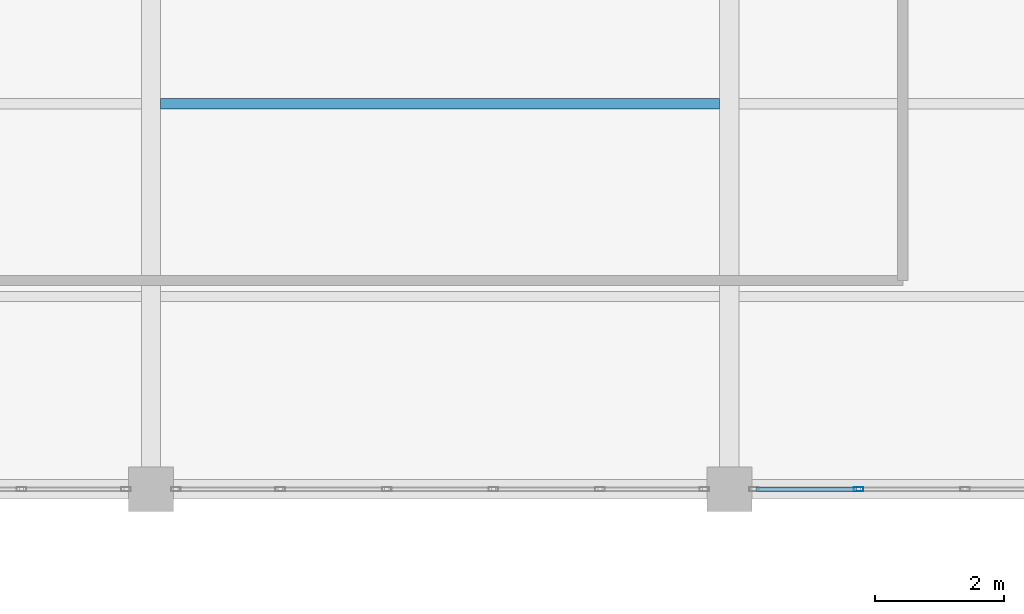
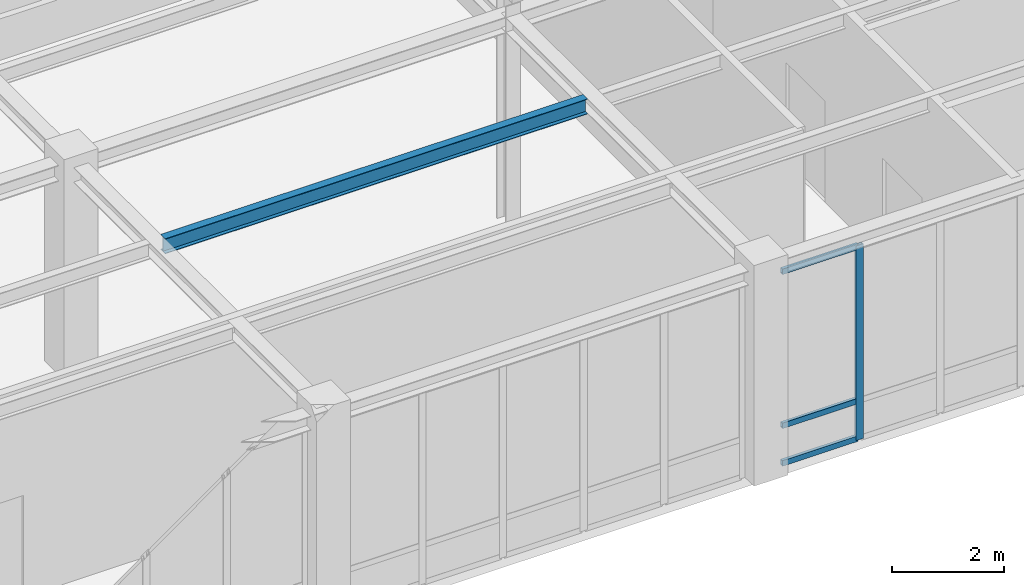
# One storey, part 46 of 98: 4 members, 1 beam, 1 element without a shape of its own.
"""IFC4 building model written with IfcOpenShell, lengths in metres."""

from ifc_helpers import new_model, si_unit, direction, frame, origin, origin_2d, place, context, subcontext, project, spatial, hollow_rectangle, i_section, extrude, material, material_profile, profile_set, type_object, element, aggregate, save


model = new_model("IFC4")

# Units and contexts
model_context = context("Model", 3, precision=1e-05, world=origin(), true_north=direction((0.0, 1.0)))
body_context = subcontext(model_context, "Body", "Model", "MODEL_VIEW")
ifc_project = project(units=[si_unit("LENGTHUNIT", "METRE"), si_unit("AREAUNIT", "SQUARE_METRE"), si_unit("VOLUMEUNIT", "CUBIC_METRE"), si_unit("PLANEANGLEUNIT", "RADIAN"), si_unit("MASSUNIT", "GRAM", prefix="KILO")], contexts=[model_context])

# Site, building, storey
site_placement = place(None, origin())
site = spatial("IfcSite", under=ifc_project, at=site_placement, CompositionType="ELEMENT")
building_placement = place(site_placement, origin())
building = spatial("IfcBuilding", under=site, at=building_placement, Name="Lykobir Media Centre", CompositionType="ELEMENT")
storey_placement = place(building_placement, frame((0.0, 0.0, 10.199951171875)))
storey = spatial("IfcBuildingStorey", under=building, at=storey_placement, Name="L02", CompositionType="ELEMENT", Elevation=10.199951171875)

# Curtain wall, members
ifc_material_1 = material(Name="Anodized Aluminium AW-6060", Category="aluminium")
curtain_wall_type = type_object("IfcCurtainWallType", Name="CW-COURT-A", PredefinedType="NOTDEFINED", material=ifc_material_1)
curtain_wall_placement = place(storey_placement, origin())
curtain_wall = element("IfcCurtainWall", 1, at=curtain_wall_placement, inside=storey, type_object=curtain_wall_type, Name="Curtain wall CW2-L02-0110", PredefinedType="NOTDEFINED")
ifc_material_profile_1 = material_profile(ifc_material_1, hollow_rectangle(XDim=0.06494140625, YDim=0.14990234375, WallThickness=0.00341796875, at=origin_2d()), Name="ALU MULLION 65x150")
ifc_profile_set_1 = profile_set([ifc_material_profile_1], Name="Anodized Aluminium AW-6060")
member_type_1 = type_object("IfcMemberType", Name="CWM-150", PredefinedType="MULLION", material=ifc_profile_set_1)
member_1_placement = place(storey_placement, frame((119.012939453125, 72.0, 0.0), z_axis=(0.0, 0.0, 1.0), x_axis=(0.0, -1.0, 0.0)))
member_1 = element("IfcMember", 2, at=member_1_placement, type_object=member_type_1, Name="CW2-L02-0110 mullion 5", PredefinedType="MULLION", context=body_context, shape_type="SweptSolid", body=[
    extrude(hollow_rectangle(XDim=0.06494140625, YDim=0.14990234375, WallThickness=0.00341796875, at=origin_2d()), origin(), (0.0, 0.0, 1.0), 4.235107421875),
])
ifc_material_profile_2 = material_profile(ifc_material_1, hollow_rectangle(XDim=0.06494140625, YDim=0.1201171875, WallThickness=0.0029296875, at=origin_2d()), Name="ALU TRANSOM 65x120")
ifc_profile_set_2 = profile_set([ifc_material_profile_2], Name="Anodized Aluminium AW-6060")
member_type_2 = type_object("IfcMemberType", Name="CWT-120", PredefinedType="USERDEFINED", material=ifc_profile_set_2)
member_2_placement = place(storey_placement, frame((118.98046875, 72.0, 0.032470703125), z_axis=(-1.0, 0.0, 0.0), x_axis=(0.0, -1.0, 0.0)))
member_2 = element("IfcMember", 3, at=member_2_placement, type_object=member_type_2, Name="CW2-L02-0110 transom 5.1", ObjectType="TRANSOM", PredefinedType="USERDEFINED", context=body_context, shape_type="SweptSolid", body=[
    extrude(hollow_rectangle(XDim=0.06494140625, YDim=0.1201171875, WallThickness=0.0029296875, at=origin_2d()), origin(), (0.0, 0.0, 1.0), 1.560546875),
])
member_3_placement = place(storey_placement, frame((118.98046875, 72.0, 0.85009765625), z_axis=(-1.0, 0.0, 0.0), x_axis=(0.0, -1.0, 0.0)))
member_3 = element("IfcMember", 4, at=member_3_placement, type_object=member_type_2, Name="CW2-L02-0110 transom 5.2", ObjectType="TRANSOM", PredefinedType="USERDEFINED", context=body_context, shape_type="SweptSolid", body=[
    extrude(hollow_rectangle(XDim=0.06494140625, YDim=0.1201171875, WallThickness=0.0029296875, at=origin_2d()), origin(), (0.0, 0.0, 1.0), 1.560546875),
])
member_4_placement = place(storey_placement, frame((118.98046875, 72.0, 4.20263671875), z_axis=(-1.0, 0.0, 0.0), x_axis=(0.0, -1.0, 0.0)))
member_4 = element("IfcMember", 5, at=member_4_placement, type_object=member_type_2, Name="CW2-L02-0110 transom 5.3", ObjectType="TRANSOM", PredefinedType="USERDEFINED", context=body_context, shape_type="SweptSolid", body=[
    extrude(hollow_rectangle(XDim=0.06494140625, YDim=0.1201171875, WallThickness=0.0029296875, at=origin_2d()), origin(), (0.0, 0.0, 1.0), 1.560546875),
])
aggregate(curtain_wall, [member_1, member_2, member_3, member_4])

# Beam
ifc_material_2 = material(Name="Steel S355", Category="steel")
ifc_material_profile_3 = material_profile(ifc_material_2, i_section(OverallWidth=0.159912109375, OverallDepth=0.330078125, WebThickness=0.007568359375, FlangeThickness=0.011474609375, at=origin_2d()), Name="IPE 330")
ifc_profile_set_3 = profile_set([ifc_material_profile_3], Name="Steel S355")
beam_type = type_object("IfcBeamType", Name="JS-IPE330", PredefinedType="JOIST", material=ifc_profile_set_3)
beam_placement = place(storey_placement, frame((108.14990234375, 78.0, 4.39501953125), z_axis=(1.0, 0.0, 0.0), x_axis=(0.0, 1.0, 0.0)))
element("IfcBeam", 6, at=beam_placement, inside=storey, type_object=beam_type, Name="Beam BM-L02-1082-0780-1168-0780-1460", PredefinedType="JOIST", context=body_context, shape_type="SweptSolid", body=[
    extrude(i_section(OverallWidth=0.159912109375, OverallDepth=0.330078125, WebThickness=0.007568359375, FlangeThickness=0.011474609375, at=origin_2d()), origin(), (0.0, 0.0, 1.0), 8.7001953125),
])

save(model, "model.ifc")
